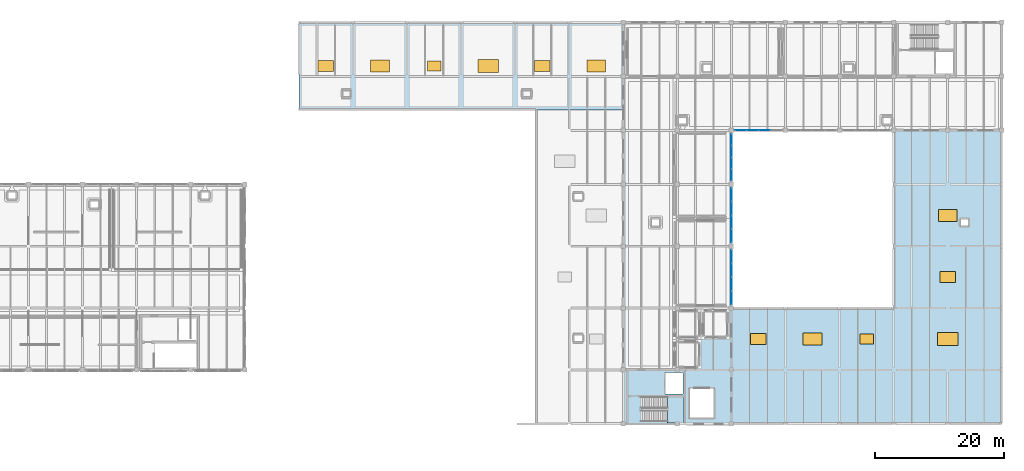
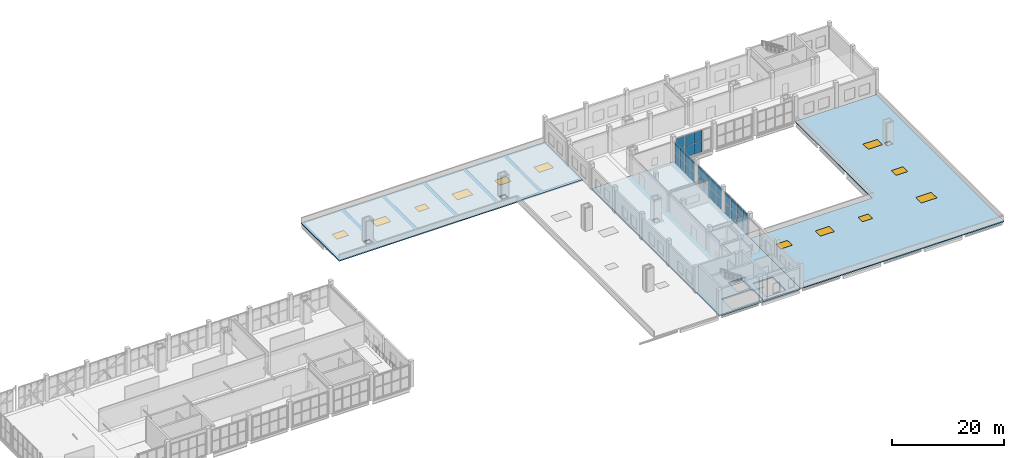
# One storey, part 32 of 49: 30 plates, 12 windows, 4 slabs, 12 openings, 5 elements without a shape of their own.
"""IFC4 building model written with IfcOpenShell, lengths in metres."""

from ifc_helpers import new_model, si_unit, direction, frame, origin, origin_2d, place, context, subcontext, project, spatial, polyline, rectangle, outline, extrude, material, layer, layer_set, type_object, element, fill, aggregate, save


model = new_model("IFC4")

# Units and contexts
model_context = context("Model", 3, precision=1e-05, world=origin(), true_north=direction((0.0, 1.0)))
body_context = subcontext(model_context, "Body", "Model", "MODEL_VIEW")
ifc_project = project(units=[si_unit("LENGTHUNIT", "METRE"), si_unit("AREAUNIT", "SQUARE_METRE"), si_unit("VOLUMEUNIT", "CUBIC_METRE"), si_unit("PLANEANGLEUNIT", "RADIAN"), si_unit("MASSUNIT", "GRAM", prefix="KILO")], contexts=[model_context])

# Site, building, storey
site_placement = place(None, origin())
site = spatial("IfcSite", under=ifc_project, at=site_placement, CompositionType="ELEMENT")
building_placement = place(site_placement, origin())
building = spatial("IfcBuilding", under=site, at=building_placement, Name="Zulmaris Art Gallery", CompositionType="ELEMENT")
storey_placement = place(building_placement, frame((0.0, 0.0, 20.699951171875)))
storey = spatial("IfcBuildingStorey", under=building, at=storey_placement, Name="L04", CompositionType="ELEMENT", Elevation=20.699951171875)

# Curtain wall, plates
ifc_material_1 = material(Name="Courtyard Artists Studio Curtain Wall", Category="aluminium")
ifc_layer_1 = layer(ifc_material_1, 0.179931640625)
ifc_layer_set_1 = layer_set([ifc_layer_1], Name="Courtyard Artists Studio Curtain Wall")
curtain_wall_type = type_object("IfcCurtainWallType", Name="CW-CW04", PredefinedType="NOTDEFINED", material=ifc_layer_set_1)
curtain_wall_1_placement = place(storey_placement, origin())
curtain_wall_1 = element("IfcCurtainWall", 1, at=curtain_wall_1_placement, inside=storey, type_object=curtain_wall_type, Name="L04 curtain wall 159", PredefinedType="NOTDEFINED")
ifc_material_2 = material(Name="Triple Solar-Control Laminated Glass", Category="glass")
ifc_layer_2 = layer(ifc_material_2, 0.035888671875)
ifc_layer_set_2 = layer_set([ifc_layer_2], Name="Triple Solar-Control Laminated Glass")
plate_type = type_object("IfcPlateType", Name="CWPAN-GLZ", PredefinedType="CURTAIN_PANEL", material=ifc_layer_set_2)
plate_1_placement = place(storey_placement, frame((158.39990234375, 32.82373046875, 0.074951171875), z_axis=(0.0, 0.0, 1.0), x_axis=(0.0, 1.0, 0.0)))
plate_1 = element("IfcPlate", 2, at=plate_1_placement, type_object=plate_type, Name="CW04 panel 1.1", PredefinedType="CURTAIN_PANEL", context=body_context, shape_type="SweptSolid", body=[
    extrude(rectangle(XDim=2.017578125, YDim=0.031982421875, at=origin_2d()), origin(), (0.0, 0.0, 1.0), 2.267578125),
])
plate_2_placement = place(storey_placement, frame((158.39990234375, 32.82373046875, 2.41748046875), z_axis=(0.0, 0.0, 1.0), x_axis=(0.0, 1.0, 0.0)))
plate_2 = element("IfcPlate", 3, at=plate_2_placement, type_object=plate_type, Name="CW04 panel 1.2", PredefinedType="CURTAIN_PANEL", context=body_context, shape_type="SweptSolid", body=[
    extrude(rectangle(XDim=2.017578125, YDim=0.031982421875, at=origin_2d()), origin(), (0.0, 0.0, 1.0), 2.267578125),
])
plate_3_placement = place(storey_placement, frame((158.39990234375, 34.93505859375, 0.074951171875), z_axis=(0.0, 0.0, 1.0), x_axis=(0.0, 1.0, 0.0)))
plate_3 = element("IfcPlate", 4, at=plate_3_placement, type_object=plate_type, Name="CW04 panel 2.1", PredefinedType="CURTAIN_PANEL", context=body_context, shape_type="SweptSolid", body=[
    extrude(rectangle(XDim=2.054931640625, YDim=0.031982421875, at=origin_2d()), origin(), (0.0, 0.0, 1.0), 2.267578125),
])
plate_4_placement = place(storey_placement, frame((158.39990234375, 34.93505859375, 2.41748046875), z_axis=(0.0, 0.0, 1.0), x_axis=(0.0, 1.0, 0.0)))
plate_4 = element("IfcPlate", 5, at=plate_4_placement, type_object=plate_type, Name="CW04 panel 2.2", PredefinedType="CURTAIN_PANEL", context=body_context, shape_type="SweptSolid", body=[
    extrude(rectangle(XDim=2.054931640625, YDim=0.031982421875, at=origin_2d()), origin(), (0.0, 0.0, 1.0), 2.267578125),
])
plate_5_placement = place(storey_placement, frame((158.39990234375, 37.06494140625, 0.074951171875), z_axis=(0.0, 0.0, 1.0), x_axis=(0.0, 1.0, 0.0)))
plate_5 = element("IfcPlate", 6, at=plate_5_placement, type_object=plate_type, Name="CW04 panel 3.1", PredefinedType="CURTAIN_PANEL", context=body_context, shape_type="SweptSolid", body=[
    extrude(rectangle(XDim=2.054931640625, YDim=0.031982421875, at=origin_2d()), origin(), (0.0, 0.0, 1.0), 2.267578125),
])
plate_6_placement = place(storey_placement, frame((158.39990234375, 37.06494140625, 2.41748046875), z_axis=(0.0, 0.0, 1.0), x_axis=(0.0, 1.0, 0.0)))
plate_6 = element("IfcPlate", 7, at=plate_6_placement, type_object=plate_type, Name="CW04 panel 3.2", PredefinedType="CURTAIN_PANEL", context=body_context, shape_type="SweptSolid", body=[
    extrude(rectangle(XDim=2.054931640625, YDim=0.031982421875, at=origin_2d()), origin(), (0.0, 0.0, 1.0), 2.267578125),
])
plate_7_placement = place(storey_placement, frame((158.39990234375, 39.17626953125, 0.074951171875), z_axis=(0.0, 0.0, 1.0), x_axis=(0.0, 1.0, 0.0)))
plate_7 = element("IfcPlate", 8, at=plate_7_placement, type_object=plate_type, Name="CW04 panel 4.1", PredefinedType="CURTAIN_PANEL", context=body_context, shape_type="SweptSolid", body=[
    extrude(rectangle(XDim=2.017578125, YDim=0.031982421875, at=origin_2d()), origin(), (0.0, 0.0, 1.0), 2.267578125),
])
plate_8_placement = place(storey_placement, frame((158.39990234375, 39.17626953125, 2.41748046875), z_axis=(0.0, 0.0, 1.0), x_axis=(0.0, 1.0, 0.0)))
plate_8 = element("IfcPlate", 9, at=plate_8_placement, type_object=plate_type, Name="CW04 panel 4.2", PredefinedType="CURTAIN_PANEL", context=body_context, shape_type="SweptSolid", body=[
    extrude(rectangle(XDim=2.017578125, YDim=0.031982421875, at=origin_2d()), origin(), (0.0, 0.0, 1.0), 2.267578125),
])
aggregate(curtain_wall_1, [plate_1, plate_2, plate_3, plate_4, plate_5, plate_6, plate_7, plate_8])

curtain_wall_2_placement = place(storey_placement, origin())
curtain_wall_2 = element("IfcCurtainWall", 10, at=curtain_wall_2_placement, inside=storey, type_object=curtain_wall_type, Name="L04 curtain wall 160", PredefinedType="NOTDEFINED")
plate_9_placement = place(storey_placement, frame((158.39990234375, 42.423828125, 0.074951171875), z_axis=(0.0, 0.0, 1.0), x_axis=(0.0, 1.0, 0.0)))
plate_9 = element("IfcPlate", 11, at=plate_9_placement, type_object=plate_type, Name="CW04 panel 1.1", PredefinedType="CURTAIN_PANEL", context=body_context, shape_type="SweptSolid", body=[
    extrude(rectangle(XDim=2.017578125, YDim=0.031982421875, at=origin_2d()), origin(), (0.0, 0.0, 1.0), 2.267578125),
])
plate_10_placement = place(storey_placement, frame((158.39990234375, 42.423828125, 2.41748046875), z_axis=(0.0, 0.0, 1.0), x_axis=(0.0, 1.0, 0.0)))
plate_10 = element("IfcPlate", 12, at=plate_10_placement, type_object=plate_type, Name="CW04 panel 1.2", PredefinedType="CURTAIN_PANEL", context=body_context, shape_type="SweptSolid", body=[
    extrude(rectangle(XDim=2.017578125, YDim=0.031982421875, at=origin_2d()), origin(), (0.0, 0.0, 1.0), 2.267578125),
])
plate_11_placement = place(storey_placement, frame((158.39990234375, 44.534912109375, 0.074951171875), z_axis=(0.0, 0.0, 1.0), x_axis=(0.0, 1.0, 0.0)))
plate_11 = element("IfcPlate", 13, at=plate_11_placement, type_object=plate_type, Name="CW04 panel 2.1", PredefinedType="CURTAIN_PANEL", context=body_context, shape_type="SweptSolid", body=[
    extrude(rectangle(XDim=2.054931640625, YDim=0.031982421875, at=origin_2d()), origin(), (0.0, 0.0, 1.0), 2.267578125),
])
plate_12_placement = place(storey_placement, frame((158.39990234375, 44.534912109375, 2.41748046875), z_axis=(0.0, 0.0, 1.0), x_axis=(0.0, 1.0, 0.0)))
plate_12 = element("IfcPlate", 14, at=plate_12_placement, type_object=plate_type, Name="CW04 panel 2.2", PredefinedType="CURTAIN_PANEL", context=body_context, shape_type="SweptSolid", body=[
    extrude(rectangle(XDim=2.054931640625, YDim=0.031982421875, at=origin_2d()), origin(), (0.0, 0.0, 1.0), 2.267578125),
])
plate_13_placement = place(storey_placement, frame((158.39990234375, 46.6650390625, 0.074951171875), z_axis=(0.0, 0.0, 1.0), x_axis=(0.0, 1.0, 0.0)))
plate_13 = element("IfcPlate", 15, at=plate_13_placement, type_object=plate_type, Name="CW04 panel 3.1", PredefinedType="CURTAIN_PANEL", context=body_context, shape_type="SweptSolid", body=[
    extrude(rectangle(XDim=2.054931640625, YDim=0.031982421875, at=origin_2d()), origin(), (0.0, 0.0, 1.0), 2.267578125),
])
plate_14_placement = place(storey_placement, frame((158.39990234375, 46.6650390625, 2.41748046875), z_axis=(0.0, 0.0, 1.0), x_axis=(0.0, 1.0, 0.0)))
plate_14 = element("IfcPlate", 16, at=plate_14_placement, type_object=plate_type, Name="CW04 panel 3.2", PredefinedType="CURTAIN_PANEL", context=body_context, shape_type="SweptSolid", body=[
    extrude(rectangle(XDim=2.054931640625, YDim=0.031982421875, at=origin_2d()), origin(), (0.0, 0.0, 1.0), 2.267578125),
])
plate_15_placement = place(storey_placement, frame((158.39990234375, 48.7763671875, 0.074951171875), z_axis=(0.0, 0.0, 1.0), x_axis=(0.0, 1.0, 0.0)))
plate_15 = element("IfcPlate", 17, at=plate_15_placement, type_object=plate_type, Name="CW04 panel 4.1", PredefinedType="CURTAIN_PANEL", context=body_context, shape_type="SweptSolid", body=[
    extrude(rectangle(XDim=2.017578125, YDim=0.031982421875, at=origin_2d()), origin(), (0.0, 0.0, 1.0), 2.267578125),
])
plate_16_placement = place(storey_placement, frame((158.39990234375, 48.7763671875, 2.41748046875), z_axis=(0.0, 0.0, 1.0), x_axis=(0.0, 1.0, 0.0)))
plate_16 = element("IfcPlate", 18, at=plate_16_placement, type_object=plate_type, Name="CW04 panel 4.2", PredefinedType="CURTAIN_PANEL", context=body_context, shape_type="SweptSolid", body=[
    extrude(rectangle(XDim=2.017578125, YDim=0.031982421875, at=origin_2d()), origin(), (0.0, 0.0, 1.0), 2.267578125),
])
aggregate(curtain_wall_2, [plate_9, plate_10, plate_11, plate_12, plate_13, plate_14, plate_15, plate_16])

curtain_wall_3_placement = place(storey_placement, origin())
curtain_wall_3 = element("IfcCurtainWall", 19, at=curtain_wall_3_placement, inside=storey, type_object=curtain_wall_type, Name="L04 curtain wall 161", PredefinedType="NOTDEFINED")
plate_17_placement = place(storey_placement, frame((158.39990234375, 51.873779296875, 0.0751953125), z_axis=(0.0, 0.0, 1.0), x_axis=(0.0, 1.0, 0.0)))
plate_17 = element("IfcPlate", 20, at=plate_17_placement, type_object=plate_type, Name="CW04 panel 1.1", PredefinedType="CURTAIN_PANEL", context=body_context, shape_type="SweptSolid", body=[
    extrude(rectangle(XDim=1.717529296875, YDim=0.031982421875, at=origin_2d()), origin(), (0.0, 0.0, 1.0), 2.217529296875),
])
plate_18_placement = place(storey_placement, frame((158.39990234375, 51.873779296875, 2.36767578125), z_axis=(0.0, 0.0, 1.0), x_axis=(0.0, 1.0, 0.0)))
plate_18 = element("IfcPlate", 21, at=plate_18_placement, type_object=plate_type, Name="CW04 panel 1.2", PredefinedType="CURTAIN_PANEL", context=body_context, shape_type="SweptSolid", body=[
    extrude(rectangle(XDim=1.717529296875, YDim=0.031982421875, at=origin_2d()), origin(), (0.0, 0.0, 1.0), 2.217529296875),
])
plate_19_placement = place(storey_placement, frame((158.39990234375, 53.68505859375, 0.0751953125), z_axis=(0.0, 0.0, 1.0), x_axis=(0.0, 1.0, 0.0)))
plate_19 = element("IfcPlate", 22, at=plate_19_placement, type_object=plate_type, Name="CW04 panel 2.1", PredefinedType="CURTAIN_PANEL", context=body_context, shape_type="SweptSolid", body=[
    extrude(rectangle(XDim=1.7548828125, YDim=0.031982421875, at=origin_2d()), origin(), (0.0, 0.0, 1.0), 2.217529296875),
])
plate_20_placement = place(storey_placement, frame((158.39990234375, 53.68505859375, 2.36767578125), z_axis=(0.0, 0.0, 1.0), x_axis=(0.0, 1.0, 0.0)))
plate_20 = element("IfcPlate", 23, at=plate_20_placement, type_object=plate_type, Name="CW04 panel 2.2", PredefinedType="CURTAIN_PANEL", context=body_context, shape_type="SweptSolid", body=[
    extrude(rectangle(XDim=1.7548828125, YDim=0.031982421875, at=origin_2d()), origin(), (0.0, 0.0, 1.0), 2.217529296875),
])
plate_21_placement = place(storey_placement, frame((158.39990234375, 55.514892578125, 0.0751953125), z_axis=(0.0, 0.0, 1.0), x_axis=(0.0, 1.0, 0.0)))
plate_21 = element("IfcPlate", 24, at=plate_21_placement, type_object=plate_type, Name="CW04 panel 3.1", PredefinedType="CURTAIN_PANEL", context=body_context, shape_type="SweptSolid", body=[
    extrude(rectangle(XDim=1.7548828125, YDim=0.031982421875, at=origin_2d()), origin(), (0.0, 0.0, 1.0), 2.217529296875),
])
plate_22_placement = place(storey_placement, frame((158.39990234375, 55.514892578125, 2.36767578125), z_axis=(0.0, 0.0, 1.0), x_axis=(0.0, 1.0, 0.0)))
plate_22 = element("IfcPlate", 25, at=plate_22_placement, type_object=plate_type, Name="CW04 panel 3.2", PredefinedType="CURTAIN_PANEL", context=body_context, shape_type="SweptSolid", body=[
    extrude(rectangle(XDim=1.7548828125, YDim=0.031982421875, at=origin_2d()), origin(), (0.0, 0.0, 1.0), 2.217529296875),
])
plate_23_placement = place(storey_placement, frame((158.39990234375, 57.326171875, 0.0751953125), z_axis=(0.0, 0.0, 1.0), x_axis=(0.0, 1.0, 0.0)))
plate_23 = element("IfcPlate", 26, at=plate_23_placement, type_object=plate_type, Name="CW04 panel 4.1", PredefinedType="CURTAIN_PANEL", context=body_context, shape_type="SweptSolid", body=[
    extrude(rectangle(XDim=1.717529296875, YDim=0.031982421875, at=origin_2d()), origin(), (0.0, 0.0, 1.0), 2.217529296875),
])
plate_24_placement = place(storey_placement, frame((158.39990234375, 57.326171875, 2.36767578125), z_axis=(0.0, 0.0, 1.0), x_axis=(0.0, 1.0, 0.0)))
plate_24 = element("IfcPlate", 27, at=plate_24_placement, type_object=plate_type, Name="CW04 panel 4.2", PredefinedType="CURTAIN_PANEL", context=body_context, shape_type="SweptSolid", body=[
    extrude(rectangle(XDim=1.717529296875, YDim=0.031982421875, at=origin_2d()), origin(), (0.0, 0.0, 1.0), 2.217529296875),
])
aggregate(curtain_wall_3, [plate_17, plate_18, plate_19, plate_20, plate_21, plate_22, plate_23, plate_24])

curtain_wall_4_placement = place(storey_placement, origin())
curtain_wall_4 = element("IfcCurtainWall", 28, at=curtain_wall_4_placement, inside=storey, type_object=curtain_wall_type, Name="L04 curtain wall 162", PredefinedType="NOTDEFINED")
plate_25_placement = place(storey_placement, frame((163.514892578125, 58.800048828125, 0.0751953125), z_axis=(0.0, 0.0, 1.0), x_axis=(-1.0, 0.0, 0.0)))
plate_25 = element("IfcPlate", 29, at=plate_25_placement, type_object=plate_type, Name="CW04 panel 2.1", PredefinedType="CURTAIN_PANEL", context=body_context, shape_type="SweptSolid", body=[
    extrude(rectangle(XDim=1.7548828125, YDim=0.031982421875, at=origin_2d()), origin(), (0.0, 0.0, 1.0), 2.33740234375),
])
plate_26_placement = place(storey_placement, frame((163.514892578125, 58.800048828125, 2.487548828125), z_axis=(0.0, 0.0, 1.0), x_axis=(-1.0, 0.0, 0.0)))
plate_26 = element("IfcPlate", 30, at=plate_26_placement, type_object=plate_type, Name="CW04 panel 2.2", PredefinedType="CURTAIN_PANEL", context=body_context, shape_type="SweptSolid", body=[
    extrude(rectangle(XDim=1.7548828125, YDim=0.031982421875, at=origin_2d()), origin(), (0.0, 0.0, 1.0), 2.33740234375),
])
plate_27_placement = place(storey_placement, frame((161.68505859375, 58.800048828125, 0.0751953125), z_axis=(0.0, 0.0, 1.0), x_axis=(-1.0, 0.0, 0.0)))
plate_27 = element("IfcPlate", 31, at=plate_27_placement, type_object=plate_type, Name="CW04 panel 3.1", PredefinedType="CURTAIN_PANEL", context=body_context, shape_type="SweptSolid", body=[
    extrude(rectangle(XDim=1.7548828125, YDim=0.031982421875, at=origin_2d()), origin(), (0.0, 0.0, 1.0), 2.33740234375),
])
plate_28_placement = place(storey_placement, frame((161.68505859375, 58.800048828125, 2.487548828125), z_axis=(0.0, 0.0, 1.0), x_axis=(-1.0, 0.0, 0.0)))
plate_28 = element("IfcPlate", 32, at=plate_28_placement, type_object=plate_type, Name="CW04 panel 3.2", PredefinedType="CURTAIN_PANEL", context=body_context, shape_type="SweptSolid", body=[
    extrude(rectangle(XDim=1.7548828125, YDim=0.031982421875, at=origin_2d()), origin(), (0.0, 0.0, 1.0), 2.33740234375),
])
plate_29_placement = place(storey_placement, frame((159.873779296875, 58.800048828125, 0.0751953125), z_axis=(0.0, 0.0, 1.0), x_axis=(-1.0, 0.0, 0.0)))
plate_29 = element("IfcPlate", 33, at=plate_29_placement, type_object=plate_type, Name="CW04 panel 4.1", PredefinedType="CURTAIN_PANEL", context=body_context, shape_type="SweptSolid", body=[
    extrude(rectangle(XDim=1.717529296875, YDim=0.031982421875, at=origin_2d()), origin(), (0.0, 0.0, 1.0), 2.33740234375),
])
plate_30_placement = place(storey_placement, frame((159.873779296875, 58.800048828125, 2.487548828125), z_axis=(0.0, 0.0, 1.0), x_axis=(-1.0, 0.0, 0.0)))
plate_30 = element("IfcPlate", 34, at=plate_30_placement, type_object=plate_type, Name="CW04 panel 4.2", PredefinedType="CURTAIN_PANEL", context=body_context, shape_type="SweptSolid", body=[
    extrude(rectangle(XDim=1.717529296875, YDim=0.031982421875, at=origin_2d()), origin(), (0.0, 0.0, 1.0), 2.33740234375),
])
aggregate(curtain_wall_4, [plate_25, plate_26, plate_27, plate_28, plate_29, plate_30])

# Slab
ifc_material_3 = material(Name="Concrete C40/50", Category="concrete")
ifc_layer_3 = layer(ifc_material_3, 0.31005859375)
ifc_layer_set_3 = layer_set([ifc_layer_3], Name="Concrete C40/50")
slab_type_1 = type_object("IfcSlabType", Name="SLAB-SL-FL03", PredefinedType="FLOOR", material=ifc_layer_set_3)
slab_1_placement = place(storey_placement, frame((0.0, 0.0, -0.31005859375)))
element("IfcSlab", 35, at=slab_1_placement, inside=storey, type_object=slab_type_1, Name="L04 V5-SW slab", PredefinedType="FLOOR", context=body_context, shape_type="SweptSolid", body=[
    extrude(outline(polyline([(158.39990234375, 58.800048828125), (158.39990234375, 31.199951171875), (158.39990234375, 13.199951171875), (141.60009765625, 13.199951171875), (141.60009765625, 58.800048828125), (158.39990234375, 58.800048828125)]), holes=[polyline([(144.4599609375, 13.550048828125), (150.85009765625, 13.550048828125), (150.85009765625, 17.389892578125), (144.4599609375, 17.389892578125), (144.4599609375, 13.550048828125)]), polyline([(148.050048828125, 17.820068359375), (150.85009765625, 17.820068359375), (150.85009765625, 21.14990234375), (148.050048828125, 21.14990234375), (148.050048828125, 17.820068359375)]), polyline([(146.0, 44.0), (147.199951171875, 44.0), (147.199951171875, 45.0), (146.0, 45.0), (146.0, 44.0)]), polyline([(151.800048828125, 14.0), (155.800048828125, 14.0), (155.800048828125, 18.800048828125), (151.800048828125, 18.800048828125), (151.800048828125, 14.0)])]), origin(), (0.0, 0.0, 1.0), 0.31005859375),
])

# Slab, openings, windows
ifc_layer_4 = layer(ifc_material_3, 0.239990234375)
ifc_layer_set_4 = layer_set([ifc_layer_4], Name="Concrete C40/50")
slab_type_2 = type_object("IfcSlabType", Name="SLAB-SL-RF01", PredefinedType="ROOF", material=ifc_layer_set_4)
slab_2_placement = place(storey_placement, frame((0.0, 0.0, -0.239990234375)))
slab_2 = element("IfcSlab", 36, at=slab_2_placement, inside=storey, type_object=slab_type_2, Name="L04 V4-ROOF-N slab", PredefinedType="ROOF", context=body_context, shape_type="SweptSolid", body=[
    extrude(outline(polyline([(91.199951171875, 62.0), (91.199951171875, 75.60009765625), (141.60009765625, 75.60009765625), (141.60009765625, 62.0), (91.199951171875, 62.0)]), holes=[polyline([(99.199951171875, 64.0), (99.199951171875, 65.0), (98.0, 65.0), (98.0, 64.0), (99.199951171875, 64.0)]), polyline([(94.219970703125, 67.969970703125), (96.580078125, 67.969970703125), (96.580078125, 69.6298828125), (94.219970703125, 69.6298828125), (94.219970703125, 67.969970703125)]), polyline([(102.3701171875, 67.89501953125), (105.22998046875, 67.89501953125), (105.22998046875, 69.705078125), (102.3701171875, 69.705078125), (102.3701171875, 67.89501953125)]), polyline([(126.0, 64.0), (127.199951171875, 64.0), (127.199951171875, 65.0), (126.0, 65.0), (126.0, 64.0)]), polyline([(113.22998046875, 68.044921875), (113.22998046875, 69.554931640625), (111.169921875, 69.554931640625), (111.169921875, 68.044921875), (113.22998046875, 68.044921875)]), polyline([(119.02001953125, 67.820068359375), (122.179931640625, 67.820068359375), (122.179931640625, 69.780029296875), (119.02001953125, 69.780029296875), (119.02001953125, 67.820068359375)]), polyline([(127.820068359375, 67.969970703125), (130.179931640625, 67.969970703125), (130.179931640625, 69.6298828125), (127.820068359375, 69.6298828125), (127.820068359375, 67.969970703125)]), polyline([(138.830078125, 67.89501953125), (138.830078125, 69.705078125), (135.969970703125, 69.705078125), (135.969970703125, 67.89501953125), (138.830078125, 67.89501953125)])]), origin(), (0.0, 0.0, 1.0), 0.239990234375),
])
opening_1_placement = place(slab_2_placement, frame((95.39990234375, 68.800048828125, 0.0)))
opening_1 = element("IfcOpeningElement", 37, at=opening_1_placement, cuts=slab_2, Name="Opening SK01", PredefinedType="OPENING", context=body_context, shape_type="SweptSolid", body=[
    extrude(rectangle(XDim=2.39990234375, YDim=1.699951171875, at=origin_2d()), origin(), (0.0, 0.0, 1.0), 0.239990234375),
])
opening_2_placement = place(slab_2_placement, frame((103.800048828125, 68.800048828125, 0.0)))
opening_2 = element("IfcOpeningElement", 38, at=opening_2_placement, cuts=slab_2, Name="Opening SK02", PredefinedType="OPENING", context=body_context, shape_type="SweptSolid", body=[
    extrude(rectangle(XDim=2.89990234375, YDim=1.85009765625, at=origin_2d()), origin(), (0.0, 0.0, 1.0), 0.239990234375),
])
opening_3_placement = place(slab_2_placement, frame((112.199951171875, 68.800048828125, 0.0)))
opening_3 = element("IfcOpeningElement", 39, at=opening_3_placement, cuts=slab_2, Name="Opening SK03", PredefinedType="OPENING", context=body_context, shape_type="SweptSolid", body=[
    extrude(rectangle(XDim=2.10009765625, YDim=1.550048828125, at=origin_2d()), origin(), (0.0, 0.0, 1.0), 0.239990234375),
])
opening_4_placement = place(slab_2_placement, frame((120.60009765625, 68.800048828125, 0.0)))
opening_4 = element("IfcOpeningElement", 40, at=opening_4_placement, cuts=slab_2, Name="Opening SK04", PredefinedType="OPENING", context=body_context, shape_type="SweptSolid", body=[
    extrude(rectangle(XDim=3.199951171875, YDim=2.0, at=origin_2d()), origin(), (0.0, 0.0, 1.0), 0.239990234375),
])
opening_5_placement = place(slab_2_placement, frame((129.0, 68.800048828125, 0.0)))
opening_5 = element("IfcOpeningElement", 41, at=opening_5_placement, cuts=slab_2, Name="Opening SK01", PredefinedType="OPENING", context=body_context, shape_type="SweptSolid", body=[
    extrude(rectangle(XDim=2.39990234375, YDim=1.699951171875, at=origin_2d()), origin(), (0.0, 0.0, 1.0), 0.239990234375),
])
opening_6_placement = place(slab_2_placement, frame((137.39990234375, 68.800048828125, 0.0)))
opening_6 = element("IfcOpeningElement", 42, at=opening_6_placement, cuts=slab_2, Name="Opening SK02", PredefinedType="OPENING", context=body_context, shape_type="SweptSolid", body=[
    extrude(rectangle(XDim=2.89990234375, YDim=1.85009765625, at=origin_2d()), origin(), (0.0, 0.0, 1.0), 0.239990234375),
])
ifc_material_4 = material(Name="UV-Filtered Diffusing Gallery Skylight A", Category="glass")
window_type_1 = type_object("IfcWindowType", Name="WIN-SK01", PartitioningType="SINGLE_PANEL", PredefinedType="SKYLIGHT", material=ifc_material_4)
window_1_placement = place(opening_1_placement, frame((0.0, 0.0, 0.18994140625)))
window_1 = element("IfcWindow", 43, at=window_1_placement, inside=storey, type_object=window_type_1, Name="L04 UV-Filtered Gallery Skylight 1", OverallHeight=1.699951171875, OverallWidth=2.39990234375, PartitioningType="SINGLE_PANEL", PredefinedType="SKYLIGHT", context=body_context, shape_type="SweptSolid", body=[
    extrude(rectangle(XDim=2.39990234375, YDim=1.699951171875, at=origin_2d()), origin(), (0.0, 0.0, 1.0), 0.050048828125),
])
fill(opening_1, window_1)
window_2_placement = place(opening_5_placement, frame((0.0, 0.0, 0.18994140625)))
window_2 = element("IfcWindow", 44, at=window_2_placement, inside=storey, type_object=window_type_1, Name="L04 UV-Filtered Gallery Skylight 5", OverallHeight=1.699951171875, OverallWidth=2.39990234375, PartitioningType="SINGLE_PANEL", PredefinedType="SKYLIGHT", context=body_context, shape_type="SweptSolid", body=[
    extrude(rectangle(XDim=2.39990234375, YDim=1.699951171875, at=origin_2d()), origin(), (0.0, 0.0, 1.0), 0.050048828125),
])
fill(opening_5, window_2)
ifc_material_5 = material(Name="UV-Filtered North-Light Roof Skylight B", Category="glass")
window_type_2 = type_object("IfcWindowType", Name="WIN-SK02", PartitioningType="SINGLE_PANEL", PredefinedType="SKYLIGHT", material=ifc_material_5)
window_3_placement = place(opening_2_placement, frame((0.0, 0.0, 0.18994140625)))
window_3 = element("IfcWindow", 45, at=window_3_placement, inside=storey, type_object=window_type_2, Name="L04 UV-Filtered Gallery Skylight 2", OverallHeight=1.85009765625, OverallWidth=2.89990234375, PartitioningType="SINGLE_PANEL", PredefinedType="SKYLIGHT", context=body_context, shape_type="SweptSolid", body=[
    extrude(rectangle(XDim=2.89990234375, YDim=1.85009765625, at=origin_2d()), origin(), (0.0, 0.0, 1.0), 0.050048828125),
])
fill(opening_2, window_3)
window_4_placement = place(opening_6_placement, frame((0.0, 0.0, 0.18994140625)))
window_4 = element("IfcWindow", 46, at=window_4_placement, inside=storey, type_object=window_type_2, Name="L04 UV-Filtered Gallery Skylight 6", OverallHeight=1.85009765625, OverallWidth=2.89990234375, PartitioningType="SINGLE_PANEL", PredefinedType="SKYLIGHT", context=body_context, shape_type="SweptSolid", body=[
    extrude(rectangle(XDim=2.89990234375, YDim=1.85009765625, at=origin_2d()), origin(), (0.0, 0.0, 1.0), 0.050048828125),
])
fill(opening_6, window_4)
ifc_material_6 = material(Name="UV-Filtered Conservation Roof Skylight C", Category="glass")
window_type_3 = type_object("IfcWindowType", Name="WIN-SK03", PartitioningType="SINGLE_PANEL", PredefinedType="SKYLIGHT", material=ifc_material_6)
window_5_placement = place(opening_3_placement, frame((0.0, 0.0, 0.18994140625)))
window_5 = element("IfcWindow", 47, at=window_5_placement, inside=storey, type_object=window_type_3, Name="L04 UV-Filtered Gallery Skylight 3", OverallHeight=1.550048828125, OverallWidth=2.10009765625, PartitioningType="SINGLE_PANEL", PredefinedType="SKYLIGHT", context=body_context, shape_type="SweptSolid", body=[
    extrude(rectangle(XDim=2.10009765625, YDim=1.550048828125, at=origin_2d()), origin(), (0.0, 0.0, 1.0), 0.050048828125),
])
fill(opening_3, window_5)
ifc_material_7 = material(Name="UV-Filtered Studio Roof Skylight D", Category="glass")
window_type_4 = type_object("IfcWindowType", Name="WIN-SK04", PartitioningType="SINGLE_PANEL", PredefinedType="SKYLIGHT", material=ifc_material_7)
window_6_placement = place(opening_4_placement, frame((0.0, 0.0, 0.18994140625)))
window_6 = element("IfcWindow", 48, at=window_6_placement, inside=storey, type_object=window_type_4, Name="L04 UV-Filtered Gallery Skylight 4", OverallHeight=2.0, OverallWidth=3.199951171875, PartitioningType="SINGLE_PANEL", PredefinedType="SKYLIGHT", context=body_context, shape_type="SweptSolid", body=[
    extrude(rectangle(XDim=3.199951171875, YDim=2.0, at=origin_2d()), origin(), (0.0, 0.0, 1.0), 0.050048828125),
])
fill(opening_4, window_6)

slab_3_placement = place(storey_placement, frame((0.0, 0.0, -0.239990234375)))
slab_3 = element("IfcSlab", 49, at=slab_3_placement, inside=storey, type_object=slab_type_2, Name="L04 V5-ROOF-SE slab", PredefinedType="ROOF", context=body_context, shape_type="SweptSolid", body=[
    extrude(outline(polyline([(158.39990234375, 31.199951171875), (183.60009765625, 31.199951171875), (183.60009765625, 58.800048828125), (200.39990234375, 58.800048828125), (200.39990234375, 31.199951171875), (200.39990234375, 13.199951171875), (158.39990234375, 13.199951171875), (158.39990234375, 31.199951171875)]), holes=[polyline([(161.419921875, 25.570068359375), (163.780029296875, 25.570068359375), (163.780029296875, 27.22998046875), (161.419921875, 27.22998046875), (161.419921875, 25.570068359375)]), polyline([(172.429931640625, 25.4951171875), (172.429931640625, 27.304931640625), (169.570068359375, 27.304931640625), (169.570068359375, 25.4951171875), (172.429931640625, 25.4951171875)]), polyline([(180.429931640625, 25.64501953125), (180.429931640625, 27.155029296875), (178.3701171875, 27.155029296875), (178.3701171875, 25.64501953125), (180.429931640625, 25.64501953125)]), polyline([(193.580078125, 25.419921875), (193.580078125, 27.3798828125), (190.419921875, 27.3798828125), (190.419921875, 25.419921875), (193.580078125, 25.419921875)]), polyline([(190.820068359375, 35.169921875), (193.179931640625, 35.169921875), (193.179931640625, 36.830078125), (190.820068359375, 36.830078125), (190.820068359375, 35.169921875)]), polyline([(194.0, 44.0), (195.199951171875, 44.0), (195.199951171875, 45.0), (194.0, 45.0), (194.0, 44.0)]), polyline([(193.429931640625, 44.695068359375), (193.429931640625, 46.5048828125), (190.570068359375, 46.5048828125), (190.570068359375, 44.695068359375), (193.429931640625, 44.695068359375)])]), origin(), (0.0, 0.0, 1.0), 0.239990234375),
])
opening_7_placement = place(slab_3_placement, frame((162.60009765625, 26.39990234375, 0.0)))
opening_7 = element("IfcOpeningElement", 50, at=opening_7_placement, cuts=slab_3, Name="Opening SK01", PredefinedType="OPENING", context=body_context, shape_type="SweptSolid", body=[
    extrude(rectangle(XDim=2.39990234375, YDim=1.699951171875, at=origin_2d()), origin(), (0.0, 0.0, 1.0), 0.239990234375),
])
opening_8_placement = place(slab_3_placement, frame((171.0, 26.39990234375, 0.0)))
opening_8 = element("IfcOpeningElement", 51, at=opening_8_placement, cuts=slab_3, Name="Opening SK02", PredefinedType="OPENING", context=body_context, shape_type="SweptSolid", body=[
    extrude(rectangle(XDim=2.89990234375, YDim=1.85009765625, at=origin_2d()), origin(), (0.0, 0.0, 1.0), 0.239990234375),
])
opening_9_placement = place(slab_3_placement, frame((179.39990234375, 26.39990234375, 0.0)))
opening_9 = element("IfcOpeningElement", 52, at=opening_9_placement, cuts=slab_3, Name="Opening SK03", PredefinedType="OPENING", context=body_context, shape_type="SweptSolid", body=[
    extrude(rectangle(XDim=2.10009765625, YDim=1.550048828125, at=origin_2d()), origin(), (0.0, 0.0, 1.0), 0.239990234375),
])
opening_10_placement = place(slab_3_placement, frame((192.0, 26.39990234375, 0.0)))
opening_10 = element("IfcOpeningElement", 53, at=opening_10_placement, cuts=slab_3, Name="Opening SK04", PredefinedType="OPENING", context=body_context, shape_type="SweptSolid", body=[
    extrude(rectangle(XDim=3.199951171875, YDim=2.0, at=origin_2d()), origin(), (0.0, 0.0, 1.0), 0.239990234375),
])
opening_11_placement = place(slab_3_placement, frame((192.0, 36.0, 0.0)))
opening_11 = element("IfcOpeningElement", 54, at=opening_11_placement, cuts=slab_3, Name="Opening SK01", PredefinedType="OPENING", context=body_context, shape_type="SweptSolid", body=[
    extrude(rectangle(XDim=2.39990234375, YDim=1.699951171875, at=origin_2d()), origin(), (0.0, 0.0, 1.0), 0.239990234375),
])
opening_12_placement = place(slab_3_placement, frame((192.0, 45.60009765625, 0.0)))
opening_12 = element("IfcOpeningElement", 55, at=opening_12_placement, cuts=slab_3, Name="Opening SK02", PredefinedType="OPENING", context=body_context, shape_type="SweptSolid", body=[
    extrude(rectangle(XDim=2.89990234375, YDim=1.85009765625, at=origin_2d()), origin(), (0.0, 0.0, 1.0), 0.239990234375),
])
window_7_placement = place(opening_7_placement, frame((0.0, 0.0, 0.18994140625)))
window_7 = element("IfcWindow", 56, at=window_7_placement, inside=storey, type_object=window_type_1, Name="L04 UV-Filtered Gallery Skylight 9", OverallHeight=1.699951171875, OverallWidth=2.39990234375, PartitioningType="SINGLE_PANEL", PredefinedType="SKYLIGHT", context=body_context, shape_type="SweptSolid", body=[
    extrude(rectangle(XDim=2.39990234375, YDim=1.699951171875, at=origin_2d()), origin(), (0.0, 0.0, 1.0), 0.050048828125),
])
fill(opening_7, window_7)
window_8_placement = place(opening_11_placement, frame((0.0, 0.0, 0.18994140625)))
window_8 = element("IfcWindow", 57, at=window_8_placement, inside=storey, type_object=window_type_1, Name="L04 UV-Filtered Gallery Skylight 13", OverallHeight=1.699951171875, OverallWidth=2.39990234375, PartitioningType="SINGLE_PANEL", PredefinedType="SKYLIGHT", context=body_context, shape_type="SweptSolid", body=[
    extrude(rectangle(XDim=2.39990234375, YDim=1.699951171875, at=origin_2d()), origin(), (0.0, 0.0, 1.0), 0.050048828125),
])
fill(opening_11, window_8)
window_9_placement = place(opening_8_placement, frame((0.0, 0.0, 0.18994140625)))
window_9 = element("IfcWindow", 58, at=window_9_placement, inside=storey, type_object=window_type_2, Name="L04 UV-Filtered Gallery Skylight 10", OverallHeight=1.85009765625, OverallWidth=2.89990234375, PartitioningType="SINGLE_PANEL", PredefinedType="SKYLIGHT", context=body_context, shape_type="SweptSolid", body=[
    extrude(rectangle(XDim=2.89990234375, YDim=1.85009765625, at=origin_2d()), origin(), (0.0, 0.0, 1.0), 0.050048828125),
])
fill(opening_8, window_9)
window_10_placement = place(opening_12_placement, frame((0.0, 0.0, 0.18994140625)))
window_10 = element("IfcWindow", 59, at=window_10_placement, inside=storey, type_object=window_type_2, Name="L04 UV-Filtered Gallery Skylight 14", OverallHeight=1.85009765625, OverallWidth=2.89990234375, PartitioningType="SINGLE_PANEL", PredefinedType="SKYLIGHT", context=body_context, shape_type="SweptSolid", body=[
    extrude(rectangle(XDim=2.89990234375, YDim=1.85009765625, at=origin_2d()), origin(), (0.0, 0.0, 1.0), 0.050048828125),
])
fill(opening_12, window_10)
window_11_placement = place(opening_9_placement, frame((0.0, 0.0, 0.18994140625)))
window_11 = element("IfcWindow", 60, at=window_11_placement, inside=storey, type_object=window_type_3, Name="L04 UV-Filtered Gallery Skylight 11", OverallHeight=1.550048828125, OverallWidth=2.10009765625, PartitioningType="SINGLE_PANEL", PredefinedType="SKYLIGHT", context=body_context, shape_type="SweptSolid", body=[
    extrude(rectangle(XDim=2.10009765625, YDim=1.550048828125, at=origin_2d()), origin(), (0.0, 0.0, 1.0), 0.050048828125),
])
fill(opening_9, window_11)
window_12_placement = place(opening_10_placement, frame((0.0, 0.0, 0.18994140625)))
window_12 = element("IfcWindow", 61, at=window_12_placement, inside=storey, type_object=window_type_4, Name="L04 UV-Filtered Gallery Skylight 12", OverallHeight=2.0, OverallWidth=3.199951171875, PartitioningType="SINGLE_PANEL", PredefinedType="SKYLIGHT", context=body_context, shape_type="SweptSolid", body=[
    extrude(rectangle(XDim=3.199951171875, YDim=2.0, at=origin_2d()), origin(), (0.0, 0.0, 1.0), 0.050048828125),
])
fill(opening_10, window_12)

# Stair, slab
stair_type = type_object("IfcStairType", Name="STAIR-CORE", PredefinedType="HALF_TURN_STAIR", material=ifc_material_3)
stair_placement = place(storey_placement, origin())
stair = element("IfcStair", 62, at=stair_placement, inside=storey, type_object=stair_type, Name="L04 Exit Stair ST3", PredefinedType="HALF_TURN_STAIR")
ifc_layer_5 = layer(ifc_material_3, 0.2099609375)
ifc_layer_set_5 = layer_set([ifc_layer_5], Name="Concrete C40/50")
slab_type_3 = type_object("IfcSlabType", Name="SLAB-STLND", PredefinedType="LANDING", material=ifc_layer_set_5)
slab_4_placement = place(storey_placement, frame((0.0, 0.0, 2.650146484375)))
slab_4 = element("IfcSlab", 63, at=slab_4_placement, type_object=slab_type_3, Name="ST3 landing 1", PredefinedType="LANDING", context=body_context, shape_type="SweptSolid", body=[
    extrude(outline(polyline([(148.5, 13.330078125), (151.050048828125, 13.330078125), (151.050048828125, 17.610107421875), (148.5, 17.610107421875), (148.5, 13.330078125)])), origin(), (0.0, 0.0, 1.0), 0.199951171875),
])
aggregate(stair, [slab_4])

save(model, "model.ifc")
